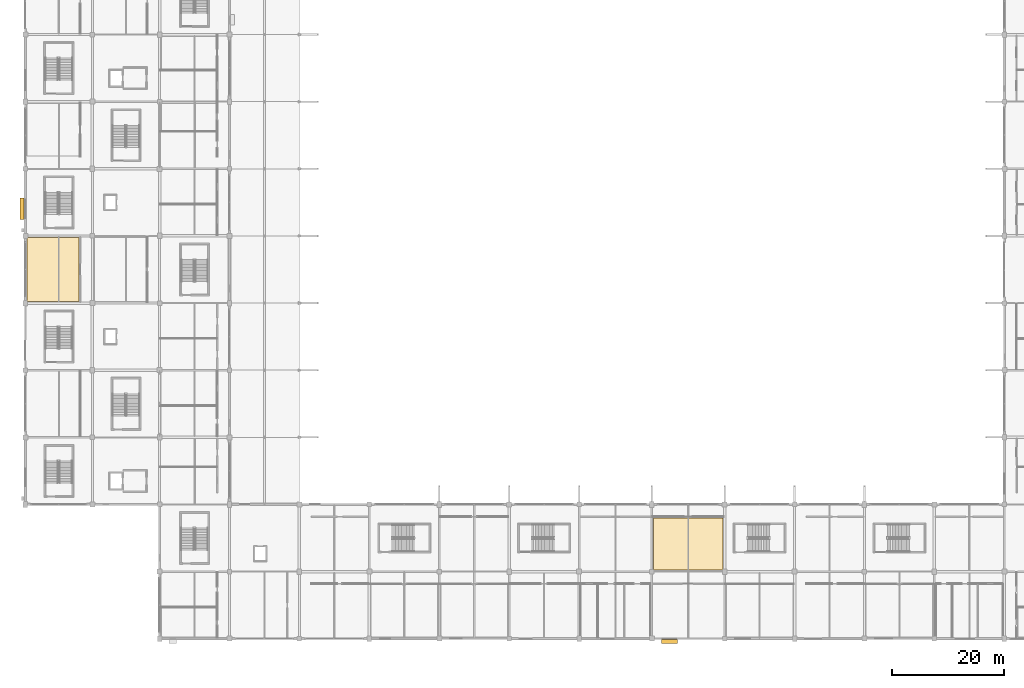
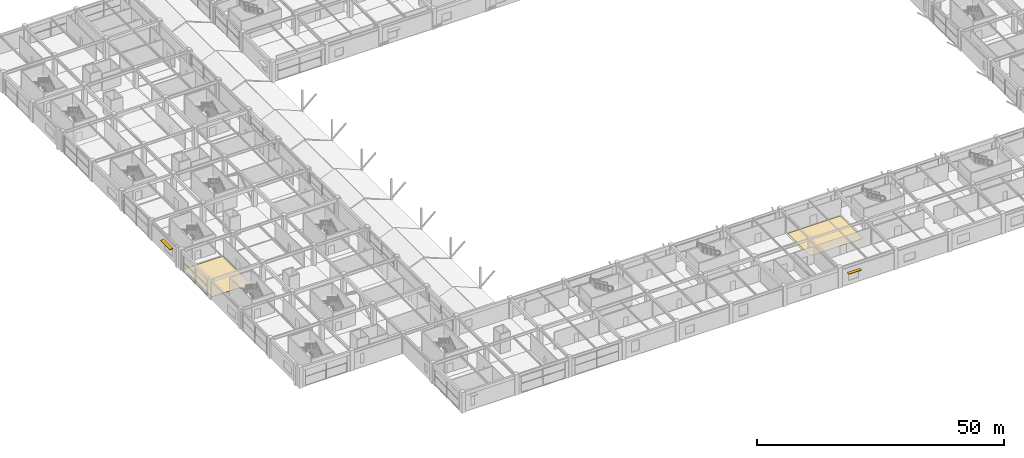
# One storey, part 93 of 116: 2 coverings, 2 shading devices.
"""IFC4 building model written with IfcOpenShell, lengths in metres."""

from ifc_helpers import new_model, si_unit, direction, frame, origin, origin_2d, place, context, subcontext, project, spatial, polyline, rectangle, outline, extrude, material, layer, layer_set, type_object, element, save


model = new_model("IFC4")

# Units and contexts
model_context = context("Model", 3, precision=1e-05, world=origin(), true_north=direction((0.0, 1.0)))
body_context = subcontext(model_context, "Body", "Model", "MODEL_VIEW")
ifc_project = project(units=[si_unit("LENGTHUNIT", "METRE"), si_unit("AREAUNIT", "SQUARE_METRE"), si_unit("VOLUMEUNIT", "CUBIC_METRE"), si_unit("PLANEANGLEUNIT", "RADIAN"), si_unit("MASSUNIT", "GRAM", prefix="KILO")], contexts=[model_context])

# Site, building, storey
site_placement = place(None, origin())
site = spatial("IfcSite", under=ifc_project, at=site_placement, CompositionType="ELEMENT")
building_placement = place(site_placement, origin())
building = spatial("IfcBuilding", under=site, at=building_placement, Name="Kazenohara Klinker Stadium", CompositionType="ELEMENT")
storey_placement = place(building_placement, frame((0.0, 0.0, 10.199951171875)))
storey = spatial("IfcBuildingStorey", under=building, at=storey_placement, Name="L02", CompositionType="ELEMENT", Elevation=10.199951171875)

# Coverings
ifc_material_1 = material(Name="Slip-resistant honed basalt terrazzo flooring", Category="masonry")
ifc_layer = layer(ifc_material_1, 0.02001953125)
ifc_layer_set = layer_set([ifc_layer], Name="Slip-resistant honed basalt terrazzo flooring")
covering_type = type_object("IfcCoveringType", Name="COV-FLR-01", PredefinedType="FLOORING", material=ifc_layer_set)
covering_1_placement = place(storey_placement, origin())
element("IfcCovering", 1, at=covering_1_placement, inside=storey, type_object=covering_type, Name="Interior floor finish FL01 Club Reception Dining Lounge L02-0006A", PredefinedType="FLOORING", context=body_context, shape_type="SweptSolid", body=[
    extrude(outline(polyline([(0.330078125, 72.31005859375), (9.570068359375, 72.31005859375), (9.570068359375, 83.68994140625), (0.330078125, 83.68994140625), (0.330078125, 72.31005859375)])), origin(), (0.0, 0.0, 1.0), 0.02001953125),
])
covering_2_placement = place(storey_placement, origin())
element("IfcCovering", 2, at=covering_2_placement, inside=storey, type_object=covering_type, Name="Interior floor finish FL01 Sapporo Autumn Banquet Hall L02-0902A", PredefinedType="FLOORING", context=body_context, shape_type="SweptSolid", body=[
    extrude(outline(polyline([(112.31005859375, 24.330078125), (124.68994140625, 24.330078125), (124.68994140625, 33.570068359375), (112.31005859375, 33.570068359375), (112.31005859375, 24.330078125)])), origin(), (0.0, 0.0, 1.0), 0.02001953125),
])

# Shading devices
ifc_material_2 = material(Name="Bronze-anodised aluminium snow-hood sunshade", Category="aluminium")
shading_device_type_1 = type_object("IfcShadingDeviceType", Name="SHD-SUN-01", PredefinedType="AWNING", material=ifc_material_2)
shading_device_1_placement = place(storey_placement, frame((115.154052734375, 11.485107421875, 2.9501953125), z_axis=(0.0, 0.0, 1.0), x_axis=(1.0, 0.0, 0.0)))
element("IfcShadingDevice", 3, at=shading_device_1_placement, inside=storey, type_object=shading_device_type_1, Name="Bronze snow-hood sunshade SS01-17", PredefinedType="AWNING", context=body_context, shape_type="SweptSolid", body=[
    extrude(rectangle(XDim=2.89990234375, YDim=0.699951171875, at=origin_2d()), origin(), (0.0, 0.0, 1.0), 0.159912109375),
])
shading_device_type_2 = type_object("IfcShadingDeviceType", Name="SHD-SUN-02", PredefinedType="AWNING", material=ifc_material_2)
shading_device_2_placement = place(storey_placement, frame((-0.574951171875, 88.85400390625, 3.14013671875), z_axis=(0.0, 0.0, 1.0), x_axis=(0.0, 1.0, 0.0)))
element("IfcShadingDevice", 4, at=shading_device_2_placement, inside=storey, type_object=shading_device_type_2, Name="Bronze snow-hood sunshade SS02-12", PredefinedType="AWNING", context=body_context, shape_type="SweptSolid", body=[
    extrude(rectangle(XDim=3.800048828125, YDim=0.75, at=origin_2d()), origin(), (0.0, 0.0, 1.0), 0.179931640625),
])

save(model, "model.ifc")
